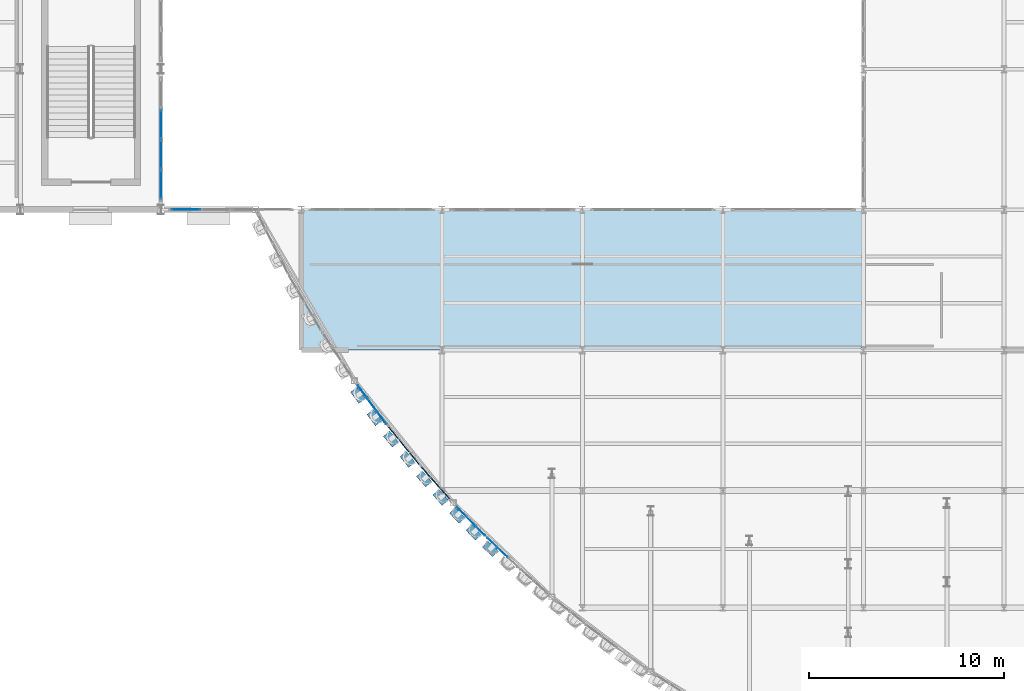
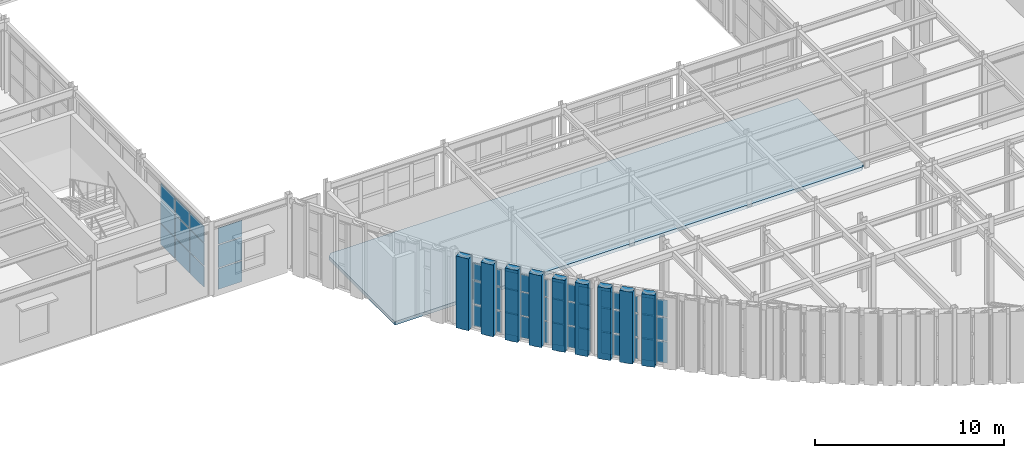
# One storey, part 77 of 121: 63 plates, 1 slab, 7 elements without a shape of their own.
"""IFC4 building model written with IfcOpenShell, lengths in metres."""

from ifc_helpers import new_model, si_unit, direction, frame, origin, origin_2d, place, context, subcontext, project, spatial, polyline, rectangle, outline, extrude, material, layer, layer_set, type_object, element, aggregate, save


model = new_model("IFC4")

# Units and contexts
model_context = context("Model", 3, precision=1e-05, world=origin(), true_north=direction((0.0, 1.0)))
body_context = subcontext(model_context, "Body", "Model", "MODEL_VIEW")
ifc_project = project(units=[si_unit("LENGTHUNIT", "METRE"), si_unit("AREAUNIT", "SQUARE_METRE"), si_unit("VOLUMEUNIT", "CUBIC_METRE"), si_unit("PLANEANGLEUNIT", "RADIAN"), si_unit("MASSUNIT", "GRAM", prefix="KILO")], contexts=[model_context])

# Site, building, storey
site_placement = place(None, origin())
site = spatial("IfcSite", under=ifc_project, at=site_placement, CompositionType="ELEMENT")
building_placement = place(site_placement, origin())
building = spatial("IfcBuilding", under=site, at=building_placement, Name="Solvadek Multi-Sports Hall", CompositionType="ELEMENT")
storey_placement = place(building_placement, frame((0.0, 0.0, 4.800048828125)))
storey = spatial("IfcBuildingStorey", under=building, at=storey_placement, Name="L01", CompositionType="ELEMENT", Elevation=4.800048828125)

# Curtain wall, plates
ifc_material_1 = material(Name="Anodised aluminium", Category="aluminium")
ifc_layer_1 = layer(ifc_material_1, 0.159912109375, Name="Anodised aluminium")
ifc_layer_set_1 = layer_set([ifc_layer_1], Name="Anodised aluminium")
curtain_wall_type_1 = type_object("IfcCurtainWallType", Name="ENV-CW-215X420", PredefinedType="USERDEFINED", material=ifc_layer_set_1)
curtain_wall_1_placement = place(storey_placement, origin())
curtain_wall_1 = element("IfcCurtainWall", 1, at=curtain_wall_1_placement, inside=storey, type_object=curtain_wall_type_1, Name="L01 Crescent Curved Curtain Wall #13", ObjectType="CURTAIN WALL", PredefinedType="USERDEFINED")
ifc_material_2 = material(Name="Tempered laminated low-E glass", Category="glass")
ifc_layer_2 = layer(ifc_material_2, 0.02392578125, Name="Tempered laminated low-E glass")
ifc_layer_set_2 = layer_set([ifc_layer_2], Name="Tempered laminated low-E glass")
plate_type_1 = type_object("IfcPlateType", Name="ENV-CWP-01", PredefinedType="CURTAIN_PANEL", material=ifc_layer_set_2)
plate_1_placement = place(storey_placement, frame((37.003173828125, 4.9306640625, 0.06494140625), z_axis=(0.0, 0.0, 1.0), x_axis=(0.695993542356, -0.718048040871, 0.0)))
plate_1 = element("IfcPlate", 2, at=plate_1_placement, type_object=plate_type_1, Name="CW-07 panel 1.1", PredefinedType="CURTAIN_PANEL", context=body_context, shape_type="SweptSolid", body=[
    extrude(rectangle(XDim=0.6279296875, YDim=0.02392578125, at=origin_2d()), origin(), (0.0, 0.0, 1.0), 1.37255859375),
])
plate_2_placement = place(storey_placement, frame((37.003173828125, 4.9306640625, 1.50244140625), z_axis=(0.0, 0.0, 1.0), x_axis=(0.695993542356, -0.718048040871, 0.0)))
plate_2 = element("IfcPlate", 3, at=plate_2_placement, type_object=plate_type_1, Name="CW-07 panel 1.2", PredefinedType="CURTAIN_PANEL", context=body_context, shape_type="SweptSolid", body=[
    extrude(rectangle(XDim=0.6279296875, YDim=0.02392578125, at=origin_2d()), origin(), (0.0, 0.0, 1.0), 1.489013671875),
])
plate_3_placement = place(storey_placement, frame((37.003173828125, 4.9306640625, 3.056396484375), z_axis=(0.0, 0.0, 1.0), x_axis=(0.695993542356, -0.718048040871, 0.0)))
plate_3 = element("IfcPlate", 4, at=plate_3_placement, type_object=plate_type_1, Name="CW-07 panel 1.3", PredefinedType="CURTAIN_PANEL", context=body_context, shape_type="SweptSolid", body=[
    extrude(rectangle(XDim=0.6279296875, YDim=0.02392578125, at=origin_2d()), origin(), (0.0, 0.0, 1.0), 1.07861328125),
])
plate_4_placement = place(storey_placement, frame((37.4921875, 4.426025390625, 0.06494140625), z_axis=(0.0, 0.0, 1.0), x_axis=(0.695993542356, -0.718048040871, 0.0)))
plate_4 = element("IfcPlate", 5, at=plate_4_placement, type_object=plate_type_1, Name="CW-07 panel 2.1", PredefinedType="CURTAIN_PANEL", context=body_context, shape_type="SweptSolid", body=[
    extrude(rectangle(XDim=0.657958984375, YDim=0.02392578125, at=origin_2d()), origin(), (0.0, 0.0, 1.0), 1.37255859375),
])
plate_5_placement = place(storey_placement, frame((37.4921875, 4.426025390625, 1.50244140625), z_axis=(0.0, 0.0, 1.0), x_axis=(0.695993542356, -0.718048040871, 0.0)))
plate_5 = element("IfcPlate", 6, at=plate_5_placement, type_object=plate_type_1, Name="CW-07 panel 2.2", PredefinedType="CURTAIN_PANEL", context=body_context, shape_type="SweptSolid", body=[
    extrude(rectangle(XDim=0.657958984375, YDim=0.02392578125, at=origin_2d()), origin(), (0.0, 0.0, 1.0), 1.489013671875),
])
plate_6_placement = place(storey_placement, frame((37.4921875, 4.426025390625, 3.056396484375), z_axis=(0.0, 0.0, 1.0), x_axis=(0.695993542356, -0.718048040871, 0.0)))
plate_6 = element("IfcPlate", 7, at=plate_6_placement, type_object=plate_type_1, Name="CW-07 panel 2.3", PredefinedType="CURTAIN_PANEL", context=body_context, shape_type="SweptSolid", body=[
    extrude(rectangle(XDim=0.657958984375, YDim=0.02392578125, at=origin_2d()), origin(), (0.0, 0.0, 1.0), 1.07861328125),
])
plate_7_placement = place(storey_placement, frame((37.9814453125, 3.921142578125, 0.06494140625), z_axis=(0.0, 0.0, 1.0), x_axis=(0.695993542356, -0.718048040871, 0.0)))
plate_7 = element("IfcPlate", 8, at=plate_7_placement, type_object=plate_type_1, Name="CW-07 panel 3.1", PredefinedType="CURTAIN_PANEL", context=body_context, shape_type="SweptSolid", body=[
    extrude(rectangle(XDim=0.6279296875, YDim=0.02392578125, at=origin_2d()), origin(), (0.0, 0.0, 1.0), 1.37255859375),
])
plate_8_placement = place(storey_placement, frame((37.9814453125, 3.921142578125, 1.50244140625), z_axis=(0.0, 0.0, 1.0), x_axis=(0.695993542356, -0.718048040871, 0.0)))
plate_8 = element("IfcPlate", 9, at=plate_8_placement, type_object=plate_type_1, Name="CW-07 panel 3.2", PredefinedType="CURTAIN_PANEL", context=body_context, shape_type="SweptSolid", body=[
    extrude(rectangle(XDim=0.6279296875, YDim=0.02392578125, at=origin_2d()), origin(), (0.0, 0.0, 1.0), 1.489013671875),
])
plate_9_placement = place(storey_placement, frame((37.9814453125, 3.921142578125, 3.056396484375), z_axis=(0.0, 0.0, 1.0), x_axis=(0.695993542356, -0.718048040871, 0.0)))
plate_9 = element("IfcPlate", 10, at=plate_9_placement, type_object=plate_type_1, Name="CW-07 panel 3.3", PredefinedType="CURTAIN_PANEL", context=body_context, shape_type="SweptSolid", body=[
    extrude(rectangle(XDim=0.6279296875, YDim=0.02392578125, at=origin_2d()), origin(), (0.0, 0.0, 1.0), 1.07861328125),
])
aggregate(curtain_wall_1, [plate_1, plate_2, plate_3, plate_4, plate_5, plate_6, plate_7, plate_8, plate_9])

ifc_layer_3 = layer(ifc_material_1, 0.159912109375, Name="Anodised aluminium")
ifc_layer_set_3 = layer_set([ifc_layer_3], Name="Anodised aluminium")
curtain_wall_type_2 = type_object("IfcCurtainWallType", Name="ENV-CW-227X420", PredefinedType="USERDEFINED", material=ifc_layer_set_3)
curtain_wall_2_placement = place(storey_placement, origin())
curtain_wall_2 = element("IfcCurtainWall", 11, at=curtain_wall_2_placement, inside=storey, type_object=curtain_wall_type_2, Name="L01 Crescent Curved Curtain Wall #15", ObjectType="CURTAIN WALL", PredefinedType="USERDEFINED")
ifc_layer_4 = layer(ifc_material_2, 0.028076171875, Name="Tempered laminated low-E glass")
ifc_layer_set_4 = layer_set([ifc_layer_4], Name="Tempered laminated low-E glass")
plate_type_2 = type_object("IfcPlateType", Name="ENV-CWP-02", PredefinedType="CURTAIN_PANEL", material=ifc_layer_set_4)
plate_10_placement = place(storey_placement, frame((38.570068359375, 3.3388671875, 0.06494140625), z_axis=(0.0, 0.0, 1.0), x_axis=(0.724763758281, -0.688997456224, 0.0)))
plate_10 = element("IfcPlate", 12, at=plate_10_placement, type_object=plate_type_2, Name="CW-06 panel 1.1", PredefinedType="CURTAIN_PANEL", context=body_context, shape_type="SweptSolid", body=[
    extrude(rectangle(XDim=0.658447265625, YDim=0.028076171875, at=origin_2d()), origin(), (0.0, 0.0, 1.0), 1.37255859375),
])
plate_11_placement = place(storey_placement, frame((38.570068359375, 3.3388671875, 1.50244140625), z_axis=(0.0, 0.0, 1.0), x_axis=(0.724763758281, -0.688997456224, 0.0)))
plate_11 = element("IfcPlate", 13, at=plate_11_placement, type_object=plate_type_2, Name="CW-06 panel 1.2", PredefinedType="CURTAIN_PANEL", context=body_context, shape_type="SweptSolid", body=[
    extrude(rectangle(XDim=0.658447265625, YDim=0.028076171875, at=origin_2d()), origin(), (0.0, 0.0, 1.0), 1.489013671875),
])
plate_12_placement = place(storey_placement, frame((38.570068359375, 3.3388671875, 3.056396484375), z_axis=(0.0, 0.0, 1.0), x_axis=(0.724763758281, -0.688997456224, 0.0)))
plate_12 = element("IfcPlate", 14, at=plate_12_placement, type_object=plate_type_2, Name="CW-06 panel 1.3", PredefinedType="CURTAIN_PANEL", context=body_context, shape_type="SweptSolid", body=[
    extrude(rectangle(XDim=0.658447265625, YDim=0.028076171875, at=origin_2d()), origin(), (0.0, 0.0, 1.0), 1.07861328125),
])
plate_13_placement = place(storey_placement, frame((39.106201171875, 2.829345703125, 0.06494140625), z_axis=(0.0, 0.0, 1.0), x_axis=(0.724763758281, -0.688997456224, 0.0)))
plate_13 = element("IfcPlate", 15, at=plate_13_placement, type_object=plate_type_2, Name="CW-06 panel 2.1", PredefinedType="CURTAIN_PANEL", context=body_context, shape_type="SweptSolid", body=[
    extrude(rectangle(XDim=0.69091796875, YDim=0.028076171875, at=origin_2d()), origin(), (0.0, 0.0, 1.0), 1.37255859375),
])
plate_14_placement = place(storey_placement, frame((39.106201171875, 2.829345703125, 1.50244140625), z_axis=(0.0, 0.0, 1.0), x_axis=(0.724763758281, -0.688997456224, 0.0)))
plate_14 = element("IfcPlate", 16, at=plate_14_placement, type_object=plate_type_2, Name="CW-06 panel 2.2", PredefinedType="CURTAIN_PANEL", context=body_context, shape_type="SweptSolid", body=[
    extrude(rectangle(XDim=0.69091796875, YDim=0.028076171875, at=origin_2d()), origin(), (0.0, 0.0, 1.0), 1.489013671875),
])
plate_15_placement = place(storey_placement, frame((39.106201171875, 2.829345703125, 3.056396484375), z_axis=(0.0, 0.0, 1.0), x_axis=(0.724763758281, -0.688997456224, 0.0)))
plate_15 = element("IfcPlate", 17, at=plate_15_placement, type_object=plate_type_2, Name="CW-06 panel 2.3", PredefinedType="CURTAIN_PANEL", context=body_context, shape_type="SweptSolid", body=[
    extrude(rectangle(XDim=0.69091796875, YDim=0.028076171875, at=origin_2d()), origin(), (0.0, 0.0, 1.0), 1.07861328125),
])
aggregate(curtain_wall_2, [plate_10, plate_11, plate_12, plate_13, plate_14, plate_15])

ifc_layer_5 = layer(ifc_material_1, 0.159912109375, Name="Anodised aluminium")
ifc_layer_set_5 = layer_set([ifc_layer_5], Name="Anodised aluminium")
curtain_wall_type_3 = type_object("IfcCurtainWallType", Name="ENV-CW-624X410", PredefinedType="USERDEFINED", material=ifc_layer_set_5)
curtain_wall_3_placement = place(storey_placement, origin())
curtain_wall_3 = element("IfcCurtainWall", 18, at=curtain_wall_3_placement, inside=storey, type_object=curtain_wall_type_3, Name="L01 Perimeter Bay Curtain Wall #153", ObjectType="CURTAIN WALL", PredefinedType="USERDEFINED")
ifc_layer_6 = layer(ifc_material_2, 0.031982421875, Name="Tempered laminated low-E glass")
ifc_layer_set_6 = layer_set([ifc_layer_6], Name="Tempered laminated low-E glass")
plate_type_3 = type_object("IfcPlateType", Name="ENV-CWP-03", PredefinedType="CURTAIN_PANEL", material=ifc_layer_set_6)
plate_16_placement = place(storey_placement, frame((22.876220703125, 20.39990234375, 0.06494140625), z_axis=(0.0, 0.0, 1.0), x_axis=(1.0, 0.0, 0.0)))
plate_16 = element("IfcPlate", 19, at=plate_16_placement, type_object=plate_type_3, Name="CW-39 panel 1.1", PredefinedType="CURTAIN_PANEL", context=body_context, shape_type="SweptSolid", body=[
    extrude(rectangle(XDim=1.46240234375, YDim=0.031982421875, at=origin_2d()), origin(), (0.0, 0.0, 1.0), 1.33740234375),
])
plate_17_placement = place(storey_placement, frame((22.876220703125, 20.39990234375, 1.46728515625), z_axis=(0.0, 0.0, 1.0), x_axis=(1.0, 0.0, 0.0)))
plate_17 = element("IfcPlate", 20, at=plate_17_placement, type_object=plate_type_3, Name="CW-39 panel 1.2", PredefinedType="CURTAIN_PANEL", context=body_context, shape_type="SweptSolid", body=[
    extrude(rectangle(XDim=1.46240234375, YDim=0.031982421875, at=origin_2d()), origin(), (0.0, 0.0, 1.0), 1.451904296875),
])
plate_18_placement = place(storey_placement, frame((22.876220703125, 20.39990234375, 2.984375), z_axis=(0.0, 0.0, 1.0), x_axis=(1.0, 0.0, 0.0)))
plate_18 = element("IfcPlate", 21, at=plate_18_placement, type_object=plate_type_3, Name="CW-39 panel 1.3", PredefinedType="CURTAIN_PANEL", context=body_context, shape_type="SweptSolid", body=[
    extrude(rectangle(XDim=1.46240234375, YDim=0.031982421875, at=origin_2d()), origin(), (0.0, 0.0, 1.0), 1.050537109375),
])
aggregate(curtain_wall_3, [plate_16, plate_17, plate_18])

ifc_layer_7 = layer(ifc_material_1, 0.159912109375, Name="Anodised aluminium")
ifc_layer_set_7 = layer_set([ifc_layer_7], Name="Anodised aluminium")
curtain_wall_type_4 = type_object("IfcCurtainWallType", Name="ENV-CW-257X420", PredefinedType="USERDEFINED", material=ifc_layer_set_7)
curtain_wall_4_placement = place(storey_placement, origin())
curtain_wall_4 = element("IfcCurtainWall", 22, at=curtain_wall_4_placement, inside=storey, type_object=curtain_wall_type_4, Name="L01 Crescent Curved Curtain Wall #7", ObjectType="CURTAIN WALL", PredefinedType="USERDEFINED")
ifc_layer_8 = layer(ifc_material_2, 0.035888671875, Name="Tempered laminated low-E glass")
ifc_layer_set_8 = layer_set([ifc_layer_8], Name="Tempered laminated low-E glass")
plate_type_4 = type_object("IfcPlateType", Name="ENV-CWP-04", PredefinedType="CURTAIN_PANEL", material=ifc_layer_set_8)
plate_19_placement = place(storey_placement, frame((31.921630859375, 11.080810546875, 0.06494140625), z_axis=(0.0, 0.0, 1.0), x_axis=(0.593152651883, -0.805090014572, 0.0)))
plate_19 = element("IfcPlate", 23, at=plate_19_placement, type_object=plate_type_4, Name="CW-04 panel 1.1", PredefinedType="CURTAIN_PANEL", context=body_context, shape_type="SweptSolid", body=[
    extrude(rectangle(XDim=0.760498046875, YDim=0.035888671875, at=origin_2d()), origin(), (0.0, 0.0, 1.0), 1.37255859375),
])
plate_20_placement = place(storey_placement, frame((31.921630859375, 11.080810546875, 1.50244140625), z_axis=(0.0, 0.0, 1.0), x_axis=(0.593152651883, -0.805090014572, 0.0)))
plate_20 = element("IfcPlate", 24, at=plate_20_placement, type_object=plate_type_4, Name="CW-04 panel 1.2", PredefinedType="CURTAIN_PANEL", context=body_context, shape_type="SweptSolid", body=[
    extrude(rectangle(XDim=0.760498046875, YDim=0.035888671875, at=origin_2d()), origin(), (0.0, 0.0, 1.0), 1.489013671875),
])
plate_21_placement = place(storey_placement, frame((31.921630859375, 11.080810546875, 3.056396484375), z_axis=(0.0, 0.0, 1.0), x_axis=(0.593152651883, -0.805090014572, 0.0)))
plate_21 = element("IfcPlate", 25, at=plate_21_placement, type_object=plate_type_4, Name="CW-04 panel 1.3", PredefinedType="CURTAIN_PANEL", context=body_context, shape_type="SweptSolid", body=[
    extrude(rectangle(XDim=0.760498046875, YDim=0.035888671875, at=origin_2d()), origin(), (0.0, 0.0, 1.0), 1.07861328125),
])
plate_22_placement = place(storey_placement, frame((32.4208984375, 10.403076171875, 0.06494140625), z_axis=(0.0, 0.0, 1.0), x_axis=(0.593152651883, -0.805090014572, 0.0)))
plate_22 = element("IfcPlate", 26, at=plate_22_placement, type_object=plate_type_4, Name="CW-04 panel 2.1", PredefinedType="CURTAIN_PANEL", context=body_context, shape_type="SweptSolid", body=[
    extrude(rectangle(XDim=0.79296875, YDim=0.035888671875, at=origin_2d()), origin(), (0.0, 0.0, 1.0), 1.37255859375),
])
plate_23_placement = place(storey_placement, frame((32.4208984375, 10.403076171875, 1.50244140625), z_axis=(0.0, 0.0, 1.0), x_axis=(0.593152651883, -0.805090014572, 0.0)))
plate_23 = element("IfcPlate", 27, at=plate_23_placement, type_object=plate_type_4, Name="CW-04 panel 2.2", PredefinedType="CURTAIN_PANEL", context=body_context, shape_type="SweptSolid", body=[
    extrude(rectangle(XDim=0.79296875, YDim=0.035888671875, at=origin_2d()), origin(), (0.0, 0.0, 1.0), 1.489013671875),
])
plate_24_placement = place(storey_placement, frame((32.4208984375, 10.403076171875, 3.056396484375), z_axis=(0.0, 0.0, 1.0), x_axis=(0.593152651883, -0.805090014572, 0.0)))
plate_24 = element("IfcPlate", 28, at=plate_24_placement, type_object=plate_type_4, Name="CW-04 panel 2.3", PredefinedType="CURTAIN_PANEL", context=body_context, shape_type="SweptSolid", body=[
    extrude(rectangle(XDim=0.79296875, YDim=0.035888671875, at=origin_2d()), origin(), (0.0, 0.0, 1.0), 1.07861328125),
])
plate_25_placement = place(storey_placement, frame((32.920166015625, 9.725341796875, 0.06494140625), z_axis=(0.0, 0.0, 1.0), x_axis=(0.593152651883, -0.805090014572, 0.0)))
plate_25 = element("IfcPlate", 29, at=plate_25_placement, type_object=plate_type_4, Name="CW-04 panel 3.1", PredefinedType="CURTAIN_PANEL", context=body_context, shape_type="SweptSolid", body=[
    extrude(rectangle(XDim=0.760498046875, YDim=0.035888671875, at=origin_2d()), origin(), (0.0, 0.0, 1.0), 1.37255859375),
])
plate_26_placement = place(storey_placement, frame((32.920166015625, 9.725341796875, 1.50244140625), z_axis=(0.0, 0.0, 1.0), x_axis=(0.593152651883, -0.805090014572, 0.0)))
plate_26 = element("IfcPlate", 30, at=plate_26_placement, type_object=plate_type_4, Name="CW-04 panel 3.2", PredefinedType="CURTAIN_PANEL", context=body_context, shape_type="SweptSolid", body=[
    extrude(rectangle(XDim=0.760498046875, YDim=0.035888671875, at=origin_2d()), origin(), (0.0, 0.0, 1.0), 1.489013671875),
])
plate_27_placement = place(storey_placement, frame((32.920166015625, 9.725341796875, 3.056396484375), z_axis=(0.0, 0.0, 1.0), x_axis=(0.593152651883, -0.805090014572, 0.0)))
plate_27 = element("IfcPlate", 31, at=plate_27_placement, type_object=plate_type_4, Name="CW-04 panel 3.3", PredefinedType="CURTAIN_PANEL", context=body_context, shape_type="SweptSolid", body=[
    extrude(rectangle(XDim=0.760498046875, YDim=0.035888671875, at=origin_2d()), origin(), (0.0, 0.0, 1.0), 1.07861328125),
])
aggregate(curtain_wall_4, [plate_19, plate_20, plate_21, plate_22, plate_23, plate_24, plate_25, plate_26, plate_27])

ifc_layer_9 = layer(ifc_material_1, 0.159912109375, Name="Anodised aluminium")
ifc_layer_set_9 = layer_set([ifc_layer_9], Name="Anodised aluminium")
curtain_wall_type_5 = type_object("IfcCurtainWallType", Name="ENV-CW-624X408", PredefinedType="USERDEFINED", material=ifc_layer_set_9)
curtain_wall_5_placement = place(storey_placement, origin())
curtain_wall_5 = element("IfcCurtainWall", 32, at=curtain_wall_5_placement, inside=storey, type_object=curtain_wall_type_5, Name="L01 Perimeter Bay Curtain Wall #181", ObjectType="CURTAIN WALL", PredefinedType="USERDEFINED")
plate_28_placement = place(storey_placement, frame((21.60009765625, 21.67626953125, 0.06494140625), z_axis=(0.0, 0.0, 1.0), x_axis=(0.0, 1.0, 0.0)))
plate_28 = element("IfcPlate", 33, at=plate_28_placement, type_object=plate_type_4, Name="CW-40 panel 1.1", PredefinedType="CURTAIN_PANEL", context=body_context, shape_type="SweptSolid", body=[
    extrude(rectangle(XDim=1.46240234375, YDim=0.035888671875, at=origin_2d()), origin(), (0.0, 0.0, 1.0), 1.32861328125),
])
plate_29_placement = place(storey_placement, frame((21.60009765625, 21.67626953125, 1.45849609375), z_axis=(0.0, 0.0, 1.0), x_axis=(0.0, 1.0, 0.0)))
plate_29 = element("IfcPlate", 34, at=plate_29_placement, type_object=plate_type_4, Name="CW-40 panel 1.2", PredefinedType="CURTAIN_PANEL", context=body_context, shape_type="SweptSolid", body=[
    extrude(rectangle(XDim=1.46240234375, YDim=0.035888671875, at=origin_2d()), origin(), (0.0, 0.0, 1.0), 1.443115234375),
])
plate_30_placement = place(storey_placement, frame((21.60009765625, 21.67626953125, 2.966552734375), z_axis=(0.0, 0.0, 1.0), x_axis=(0.0, 1.0, 0.0)))
plate_30 = element("IfcPlate", 35, at=plate_30_placement, type_object=plate_type_4, Name="CW-40 panel 1.3", PredefinedType="CURTAIN_PANEL", context=body_context, shape_type="SweptSolid", body=[
    extrude(rectangle(XDim=1.46240234375, YDim=0.035888671875, at=origin_2d()), origin(), (0.0, 0.0, 1.0), 1.04345703125),
])
plate_31_placement = place(storey_placement, frame((21.60009765625, 23.219970703125, 0.06494140625), z_axis=(0.0, 0.0, 1.0), x_axis=(0.0, 1.0, 0.0)))
plate_31 = element("IfcPlate", 36, at=plate_31_placement, type_object=plate_type_4, Name="CW-40 panel 2.1", PredefinedType="CURTAIN_PANEL", context=body_context, shape_type="SweptSolid", body=[
    extrude(rectangle(XDim=1.4951171875, YDim=0.035888671875, at=origin_2d()), origin(), (0.0, 0.0, 1.0), 1.32861328125),
])
plate_32_placement = place(storey_placement, frame((21.60009765625, 23.219970703125, 1.45849609375), z_axis=(0.0, 0.0, 1.0), x_axis=(0.0, 1.0, 0.0)))
plate_32 = element("IfcPlate", 37, at=plate_32_placement, type_object=plate_type_4, Name="CW-40 panel 2.2", PredefinedType="CURTAIN_PANEL", context=body_context, shape_type="SweptSolid", body=[
    extrude(rectangle(XDim=1.4951171875, YDim=0.035888671875, at=origin_2d()), origin(), (0.0, 0.0, 1.0), 1.443115234375),
])
plate_33_placement = place(storey_placement, frame((21.60009765625, 23.219970703125, 2.966552734375), z_axis=(0.0, 0.0, 1.0), x_axis=(0.0, 1.0, 0.0)))
plate_33 = element("IfcPlate", 38, at=plate_33_placement, type_object=plate_type_4, Name="CW-40 panel 2.3", PredefinedType="CURTAIN_PANEL", context=body_context, shape_type="SweptSolid", body=[
    extrude(rectangle(XDim=1.4951171875, YDim=0.035888671875, at=origin_2d()), origin(), (0.0, 0.0, 1.0), 1.04345703125),
])
plate_34_placement = place(storey_placement, frame((21.60009765625, 24.780029296875, 0.06494140625), z_axis=(0.0, 0.0, 1.0), x_axis=(0.0, 1.0, 0.0)))
plate_34 = element("IfcPlate", 39, at=plate_34_placement, type_object=plate_type_4, Name="CW-40 panel 3.1", PredefinedType="CURTAIN_PANEL", context=body_context, shape_type="SweptSolid", body=[
    extrude(rectangle(XDim=1.4951171875, YDim=0.035888671875, at=origin_2d()), origin(), (0.0, 0.0, 1.0), 1.32861328125),
])
plate_35_placement = place(storey_placement, frame((21.60009765625, 24.780029296875, 1.45849609375), z_axis=(0.0, 0.0, 1.0), x_axis=(0.0, 1.0, 0.0)))
plate_35 = element("IfcPlate", 40, at=plate_35_placement, type_object=plate_type_4, Name="CW-40 panel 3.2", PredefinedType="CURTAIN_PANEL", context=body_context, shape_type="SweptSolid", body=[
    extrude(rectangle(XDim=1.4951171875, YDim=0.035888671875, at=origin_2d()), origin(), (0.0, 0.0, 1.0), 1.443115234375),
])
plate_36_placement = place(storey_placement, frame((21.60009765625, 24.780029296875, 2.966552734375), z_axis=(0.0, 0.0, 1.0), x_axis=(0.0, 1.0, 0.0)))
plate_36 = element("IfcPlate", 41, at=plate_36_placement, type_object=plate_type_4, Name="CW-40 panel 3.3", PredefinedType="CURTAIN_PANEL", context=body_context, shape_type="SweptSolid", body=[
    extrude(rectangle(XDim=1.4951171875, YDim=0.035888671875, at=origin_2d()), origin(), (0.0, 0.0, 1.0), 1.04345703125),
])
aggregate(curtain_wall_5, [plate_28, plate_29, plate_30, plate_31, plate_32, plate_33, plate_34, plate_35, plate_36])

ifc_layer_10 = layer(ifc_material_1, 0.159912109375, Name="Anodised aluminium")
ifc_layer_set_10 = layer_set([ifc_layer_10], Name="Anodised aluminium")
curtain_wall_type_6 = type_object("IfcCurtainWallType", Name="ENV-CW-261X420", PredefinedType="USERDEFINED", material=ifc_layer_set_10)
curtain_wall_6_placement = place(storey_placement, origin())
curtain_wall_6 = element("IfcCurtainWall", 42, at=curtain_wall_6_placement, inside=storey, type_object=curtain_wall_type_6, Name="L01 Crescent Curved Curtain Wall #9", ObjectType="CURTAIN WALL", PredefinedType="USERDEFINED")
ifc_layer_11 = layer(ifc_material_2, 0.0419921875, Name="Tempered laminated low-E glass")
ifc_layer_set_11 = layer_set([ifc_layer_11], Name="Tempered laminated low-E glass")
plate_type_5 = type_object("IfcPlateType", Name="ENV-CWP-05", PredefinedType="CURTAIN_PANEL", material=ifc_layer_set_11)
plate_37_placement = place(storey_placement, frame((33.5068359375, 8.9677734375, 0.06005859375), z_axis=(0.0, 0.0, 1.0), x_axis=(0.630693411926, -0.77603209995, 0.0)))
plate_37 = element("IfcPlate", 43, at=plate_37_placement, type_object=plate_type_5, Name="CW-05 panel 1.1", PredefinedType="CURTAIN_PANEL", context=body_context, shape_type="SweptSolid", body=[
    extrude(rectangle(XDim=0.7666015625, YDim=0.0419921875, at=origin_2d()), origin(), (0.0, 0.0, 1.0), 1.3798828125),
])
plate_38_placement = place(storey_placement, frame((33.5068359375, 8.9677734375, 1.5), z_axis=(0.0, 0.0, 1.0), x_axis=(0.630693411926, -0.77603209995, 0.0)))
plate_38 = element("IfcPlate", 44, at=plate_38_placement, type_object=plate_type_5, Name="CW-05 panel 1.2", PredefinedType="CURTAIN_PANEL", context=body_context, shape_type="SweptSolid", body=[
    extrude(rectangle(XDim=0.7666015625, YDim=0.0419921875, at=origin_2d()), origin(), (0.0, 0.0, 1.0), 1.493896484375),
])
plate_39_placement = place(storey_placement, frame((33.5068359375, 8.9677734375, 3.053955078125), z_axis=(0.0, 0.0, 1.0), x_axis=(0.630693411926, -0.77603209995, 0.0)))
plate_39 = element("IfcPlate", 45, at=plate_39_placement, type_object=plate_type_5, Name="CW-05 panel 1.3", PredefinedType="CURTAIN_PANEL", context=body_context, shape_type="SweptSolid", body=[
    extrude(rectangle(XDim=0.7666015625, YDim=0.0419921875, at=origin_2d()), origin(), (0.0, 0.0, 1.0), 1.0859375),
])
plate_40_placement = place(storey_placement, frame((34.04541015625, 8.304931640625, 0.06005859375), z_axis=(0.0, 0.0, 1.0), x_axis=(0.630693411926, -0.77603209995, 0.0)))
plate_40 = element("IfcPlate", 46, at=plate_40_placement, type_object=plate_type_5, Name="CW-05 panel 2.1", PredefinedType="CURTAIN_PANEL", context=body_context, shape_type="SweptSolid", body=[
    extrude(rectangle(XDim=0.801513671875, YDim=0.0419921875, at=origin_2d()), origin(), (0.0, 0.0, 1.0), 1.3798828125),
])
plate_41_placement = place(storey_placement, frame((34.04541015625, 8.304931640625, 1.5), z_axis=(0.0, 0.0, 1.0), x_axis=(0.630693411926, -0.77603209995, 0.0)))
plate_41 = element("IfcPlate", 47, at=plate_41_placement, type_object=plate_type_5, Name="CW-05 panel 2.2", PredefinedType="CURTAIN_PANEL", context=body_context, shape_type="SweptSolid", body=[
    extrude(rectangle(XDim=0.801513671875, YDim=0.0419921875, at=origin_2d()), origin(), (0.0, 0.0, 1.0), 1.493896484375),
])
plate_42_placement = place(storey_placement, frame((34.04541015625, 8.304931640625, 3.053955078125), z_axis=(0.0, 0.0, 1.0), x_axis=(0.630693411926, -0.77603209995, 0.0)))
plate_42 = element("IfcPlate", 48, at=plate_42_placement, type_object=plate_type_5, Name="CW-05 panel 2.3", PredefinedType="CURTAIN_PANEL", context=body_context, shape_type="SweptSolid", body=[
    extrude(rectangle(XDim=0.801513671875, YDim=0.0419921875, at=origin_2d()), origin(), (0.0, 0.0, 1.0), 1.0859375),
])
plate_43_placement = place(storey_placement, frame((34.584228515625, 7.642333984375, 0.06005859375), z_axis=(0.0, 0.0, 1.0), x_axis=(0.630693411926, -0.77603209995, 0.0)))
plate_43 = element("IfcPlate", 49, at=plate_43_placement, type_object=plate_type_5, Name="CW-05 panel 3.1", PredefinedType="CURTAIN_PANEL", context=body_context, shape_type="SweptSolid", body=[
    extrude(rectangle(XDim=0.7666015625, YDim=0.0419921875, at=origin_2d()), origin(), (0.0, 0.0, 1.0), 1.3798828125),
])
plate_44_placement = place(storey_placement, frame((34.584228515625, 7.642333984375, 1.5), z_axis=(0.0, 0.0, 1.0), x_axis=(0.630693411926, -0.77603209995, 0.0)))
plate_44 = element("IfcPlate", 50, at=plate_44_placement, type_object=plate_type_5, Name="CW-05 panel 3.2", PredefinedType="CURTAIN_PANEL", context=body_context, shape_type="SweptSolid", body=[
    extrude(rectangle(XDim=0.7666015625, YDim=0.0419921875, at=origin_2d()), origin(), (0.0, 0.0, 1.0), 1.493896484375),
])
plate_45_placement = place(storey_placement, frame((34.584228515625, 7.642333984375, 3.053955078125), z_axis=(0.0, 0.0, 1.0), x_axis=(0.630693411926, -0.77603209995, 0.0)))
plate_45 = element("IfcPlate", 51, at=plate_45_placement, type_object=plate_type_5, Name="CW-05 panel 3.3", PredefinedType="CURTAIN_PANEL", context=body_context, shape_type="SweptSolid", body=[
    extrude(rectangle(XDim=0.7666015625, YDim=0.0419921875, at=origin_2d()), origin(), (0.0, 0.0, 1.0), 1.0859375),
])
aggregate(curtain_wall_6, [plate_37, plate_38, plate_39, plate_40, plate_41, plate_42, plate_43, plate_44, plate_45])

curtain_wall_7_placement = place(storey_placement, origin())
curtain_wall_7 = element("IfcCurtainWall", 52, at=curtain_wall_7_placement, inside=storey, type_object=curtain_wall_type_2, Name="L01 Crescent Curved Curtain Wall #11", ObjectType="CURTAIN WALL", PredefinedType="USERDEFINED")
ifc_layer_12 = layer(ifc_material_2, 0.048095703125, Name="Tempered laminated low-E glass")
ifc_layer_set_12 = layer_set([ifc_layer_12], Name="Tempered laminated low-E glass")
plate_type_6 = type_object("IfcPlateType", Name="ENV-CWP-06", PredefinedType="CURTAIN_PANEL", material=ifc_layer_set_12)
plate_46_placement = place(storey_placement, frame((35.169921875, 6.951171875, 0.06005859375), z_axis=(0.0, 0.0, 1.0), x_axis=(0.664787991761, -0.747032078301, 0.0)))
plate_46 = element("IfcPlate", 53, at=plate_46_placement, type_object=plate_type_6, Name="CW-06 panel 1.1", PredefinedType="CURTAIN_PANEL", context=body_context, shape_type="SweptSolid", body=[
    extrude(rectangle(XDim=0.665771484375, YDim=0.048095703125, at=origin_2d()), origin(), (0.0, 0.0, 1.0), 1.3798828125),
])
plate_47_placement = place(storey_placement, frame((35.169921875, 6.951171875, 1.5), z_axis=(0.0, 0.0, 1.0), x_axis=(0.664787991761, -0.747032078301, 0.0)))
plate_47 = element("IfcPlate", 54, at=plate_47_placement, type_object=plate_type_6, Name="CW-06 panel 1.2", PredefinedType="CURTAIN_PANEL", context=body_context, shape_type="SweptSolid", body=[
    extrude(rectangle(XDim=0.665771484375, YDim=0.048095703125, at=origin_2d()), origin(), (0.0, 0.0, 1.0), 1.493896484375),
])
plate_48_placement = place(storey_placement, frame((35.169921875, 6.951171875, 3.053955078125), z_axis=(0.0, 0.0, 1.0), x_axis=(0.664787991761, -0.747032078301, 0.0)))
plate_48 = element("IfcPlate", 55, at=plate_48_placement, type_object=plate_type_6, Name="CW-06 panel 1.3", PredefinedType="CURTAIN_PANEL", context=body_context, shape_type="SweptSolid", body=[
    extrude(rectangle(XDim=0.665771484375, YDim=0.048095703125, at=origin_2d()), origin(), (0.0, 0.0, 1.0), 1.0859375),
])
plate_49_placement = place(storey_placement, frame((35.66259765625, 6.397705078125, 0.06005859375), z_axis=(0.0, 0.0, 1.0), x_axis=(0.664787991761, -0.747032078301, 0.0)))
plate_49 = element("IfcPlate", 56, at=plate_49_placement, type_object=plate_type_6, Name="CW-06 panel 2.1", PredefinedType="CURTAIN_PANEL", context=body_context, shape_type="SweptSolid", body=[
    extrude(rectangle(XDim=0.69580078125, YDim=0.048095703125, at=origin_2d()), origin(), (0.0, 0.0, 1.0), 1.3798828125),
])
plate_50_placement = place(storey_placement, frame((35.66259765625, 6.397705078125, 1.5), z_axis=(0.0, 0.0, 1.0), x_axis=(0.664787991761, -0.747032078301, 0.0)))
plate_50 = element("IfcPlate", 57, at=plate_50_placement, type_object=plate_type_6, Name="CW-06 panel 2.2", PredefinedType="CURTAIN_PANEL", context=body_context, shape_type="SweptSolid", body=[
    extrude(rectangle(XDim=0.69580078125, YDim=0.048095703125, at=origin_2d()), origin(), (0.0, 0.0, 1.0), 1.493896484375),
])
plate_51_placement = place(storey_placement, frame((35.66259765625, 6.397705078125, 3.053955078125), z_axis=(0.0, 0.0, 1.0), x_axis=(0.664787991761, -0.747032078301, 0.0)))
plate_51 = element("IfcPlate", 58, at=plate_51_placement, type_object=plate_type_6, Name="CW-06 panel 2.3", PredefinedType="CURTAIN_PANEL", context=body_context, shape_type="SweptSolid", body=[
    extrude(rectangle(XDim=0.69580078125, YDim=0.048095703125, at=origin_2d()), origin(), (0.0, 0.0, 1.0), 1.0859375),
])
plate_52_placement = place(storey_placement, frame((36.155029296875, 5.84423828125, 0.06005859375), z_axis=(0.0, 0.0, 1.0), x_axis=(0.664787991761, -0.747032078301, 0.0)))
plate_52 = element("IfcPlate", 59, at=plate_52_placement, type_object=plate_type_6, Name="CW-06 panel 3.1", PredefinedType="CURTAIN_PANEL", context=body_context, shape_type="SweptSolid", body=[
    extrude(rectangle(XDim=0.665771484375, YDim=0.048095703125, at=origin_2d()), origin(), (0.0, 0.0, 1.0), 1.3798828125),
])
plate_53_placement = place(storey_placement, frame((36.155029296875, 5.84423828125, 1.5), z_axis=(0.0, 0.0, 1.0), x_axis=(0.664787991761, -0.747032078301, 0.0)))
plate_53 = element("IfcPlate", 60, at=plate_53_placement, type_object=plate_type_6, Name="CW-06 panel 3.2", PredefinedType="CURTAIN_PANEL", context=body_context, shape_type="SweptSolid", body=[
    extrude(rectangle(XDim=0.665771484375, YDim=0.048095703125, at=origin_2d()), origin(), (0.0, 0.0, 1.0), 1.493896484375),
])
plate_54_placement = place(storey_placement, frame((36.155029296875, 5.84423828125, 3.053955078125), z_axis=(0.0, 0.0, 1.0), x_axis=(0.664787991761, -0.747032078301, 0.0)))
plate_54 = element("IfcPlate", 61, at=plate_54_placement, type_object=plate_type_6, Name="CW-06 panel 3.3", PredefinedType="CURTAIN_PANEL", context=body_context, shape_type="SweptSolid", body=[
    extrude(rectangle(XDim=0.665771484375, YDim=0.048095703125, at=origin_2d()), origin(), (0.0, 0.0, 1.0), 1.0859375),
])
aggregate(curtain_wall_7, [plate_46, plate_47, plate_48, plate_49, plate_50, plate_51, plate_52, plate_53, plate_54])

# Plates
ifc_material_3 = material(Name="Perforated champagne-bronze anodised aluminium", Category="aluminium")
ifc_layer_13 = layer(ifc_material_3, 0.419921875, Name="Perforated champagne-bronze anodised aluminium")
ifc_layer_set_13 = layer_set([ifc_layer_13], Name="Perforated champagne-bronze anodised aluminium")
plate_type_7 = type_object("IfcPlateType", Name="ENV-FLT-440", PredefinedType="USERDEFINED", material=ifc_layer_set_13)
for number, where, z_axis, x_axis, name in (
    (62, (31.6953125, 10.882080078125, 0.0400390625), (0.0, 0.0, 1.0), (0.593159455627, -0.805085001848, 0.0), "L01 Half-Cylinder Colonnade Flute #13"),
    (63, (32.538818359375, 9.7373046875, 0.0400390625), (0.0, 0.0, 1.0), (0.593159455627, -0.805085001848, 0.0), "L01 Half-Cylinder Colonnade Flute #14"),
    (64, (33.390869140625, 8.634765625, 0.0400390625), (0.0, 0.0, 1.0), (0.630677076434, -0.776045375774, 0.0), "L01 Half-Cylinder Colonnade Flute #17"),
    (65, (34.234375, 7.596923828125, 0.0400390625), (0.0, 0.0, 1.0), (0.630677076434, -0.776045375774, 0.0), "L01 Half-Cylinder Colonnade Flute #18"),
    (66, (35.08642578125, 6.59375, 0.0400390625), (0.0, 0.0, 1.0), (0.664767330468, -0.747050464388, 0.0), "L01 Half-Cylinder Colonnade Flute #21"),
    (67, (35.929931640625, 5.64599609375, 0.0400390625), (0.0, 0.0, 1.0), (0.664767330468, -0.747050464388, 0.0), "L01 Half-Cylinder Colonnade Flute #22"),
    (68, (36.7822265625, 4.7275390625, 0.0400390625), (0.0, 0.0, 1.0), (0.696004704957, -0.718037220956, 0.0), "L01 Half-Cylinder Colonnade Flute #25"),
    (69, (37.62548828125, 3.857421875, 0.0400390625), (0.0, 0.0, 1.0), (0.696004704957, -0.718037220956, 0.0), "L01 Half-Cylinder Colonnade Flute #26"),
    (70, (38.477783203125, 3.012939453125, 0.0400390625), (0.0, 0.0, 1.0), (0.724733346655, -0.689029445123, 0.0), "L01 Half-Cylinder Colonnade Flute #29"),
):
    element("IfcPlate", number, at=place(storey_placement, frame(where, z_axis=z_axis, x_axis=x_axis)), inside=storey, type_object=plate_type_7, Name=name, ObjectType="FLANGED_SHEET", PredefinedType="USERDEFINED", context=body_context, shape_type="SweptSolid", body=[
        extrude(rectangle(XDim=0.719970703125, YDim=0.419921875, at=origin_2d()), origin(), (0.0, 0.0, 1.0), 4.64990234375),
    ])

# Slab
ifc_material_4 = material(Name="Concrete M35", Category="concrete")
ifc_layer_14 = layer(ifc_material_4, 0.219970703125, Name="Concrete M35")
ifc_layer_set_14 = layer_set([ifc_layer_14], Name="Concrete M35")
slab_type = type_object("IfcSlabType", Name="STR-SLB-FLR220", PredefinedType="FLOOR", material=ifc_layer_set_14)
slab_placement = place(storey_placement, frame((0.0, 0.0, -0.219970703125)))
element("IfcSlab", 71, at=slab_placement, inside=storey, type_object=slab_type, Name="L01 First Floor Concourse Slab #55", PredefinedType="FLOOR", context=body_context, shape_type="SweptSolid", body=[
    extrude(outline(polyline([(28.800048828125, 15.94091796875), (28.800048828125, 20.179931640625), (29.02001953125, 20.39990234375), (57.60009765625, 20.39990234375), (57.60009765625, 13.419921875), (57.3798828125, 13.199951171875), (30.478515625, 13.199951171875), (28.800048828125, 13.199951171875), (28.800048828125, 15.94091796875)])), origin(), (0.0, 0.0, 1.0), 0.219970703125),
])

save(model, "model.ifc")
